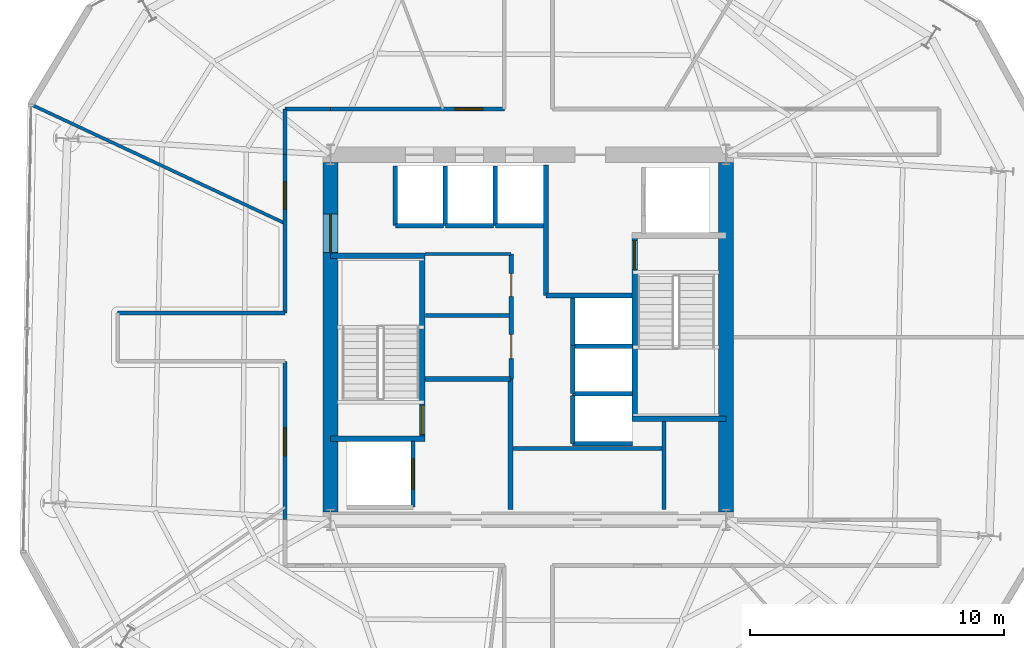
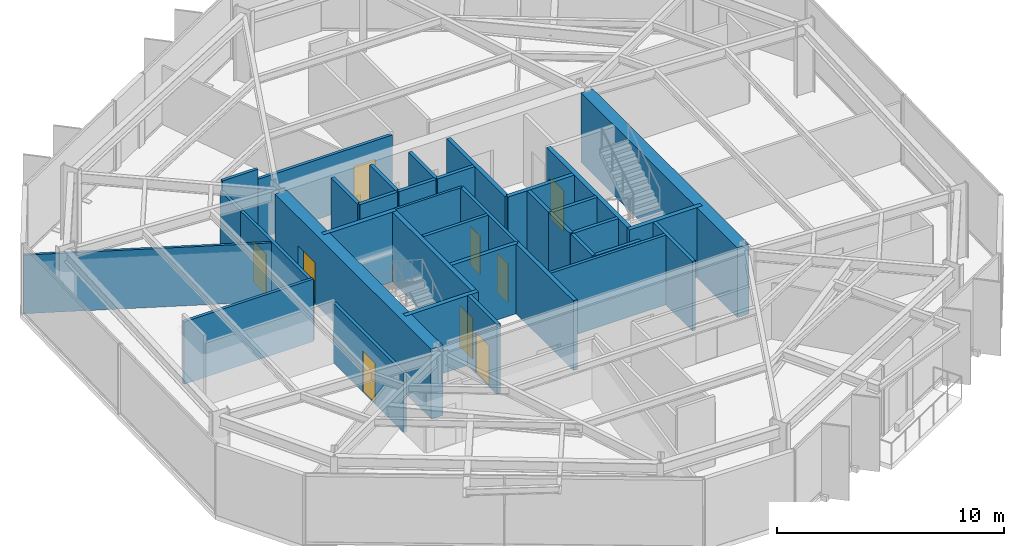
# One storey, part 7 of 11: 36 walls, 9 doors, 9 openings.
"""IFC4 building model written with IfcOpenShell, lengths in metres."""

from ifc_helpers import new_model, si_unit, direction, frame, frame_2d, origin, place, context, subcontext, project, spatial, rectangle, extrude, material, layer, layer_set, type_object, element, fill, save


model = new_model("IFC4")

# Units and contexts
model_context = context("Model", 3, precision=1e-05, world=origin(), true_north=direction((0.0, 1.0)))
body_context = subcontext(model_context, "Body", "Model", "MODEL_VIEW")
ifc_project = project(units=[si_unit("LENGTHUNIT", "METRE"), si_unit("AREAUNIT", "SQUARE_METRE"), si_unit("VOLUMEUNIT", "CUBIC_METRE"), si_unit("PLANEANGLEUNIT", "RADIAN"), si_unit("MASSUNIT", "GRAM", prefix="KILO")], contexts=[model_context])

# Site, building, storey
site_placement = place(None, origin())
site = spatial("IfcSite", under=ifc_project, at=site_placement, CompositionType="ELEMENT")
building_placement = place(site_placement, origin())
building = spatial("IfcBuilding", under=site, at=building_placement, Name="Kranzbogen Civic Tower", CompositionType="ELEMENT")
storey_placement = place(building_placement, frame((0.0, 0.0, 138.39990234375)))
storey = spatial("IfcBuildingStorey", under=building, at=storey_placement, Name="L33", CompositionType="ELEMENT", Elevation=138.39990234375)

# Wall
ifc_material_1 = material(Name="Double-Stud Acoustic Gypsum Partition")
ifc_layer_1 = layer(ifc_material_1, 0.14990234375, Name="Double-Stud Acoustic Gypsum Partition")
ifc_layer_set_1 = layer_set([ifc_layer_1], Name="Double-Stud Acoustic Gypsum Partition")
wall_type_1 = type_object("IfcWallType", Name="Acoustic Corridor and Clinical Partition 150 mm", PredefinedType="PARTITIONING", material=ifc_layer_set_1)
wall_1_placement = place(storey_placement, frame((24.39990234375, 20.610107421875, 0.0), z_axis=(0.0, 0.0, 1.0), x_axis=(1.0, 0.0, 0.0)))
element("IfcWall", 1, at=wall_1_placement, inside=storey, type_object=wall_type_1, Name="L33 records zone North wall", PredefinedType="PARTITIONING", context=body_context, shape_type="SweptSolid", body=[
    extrude(rectangle(XDim=5.900146484375, YDim=0.14990234375, at=frame_2d((2.9501953125, 0.0))), origin(), (0.0, 0.0, 1.0), 3.760009765625),
])

# Wall, opening, door
wall_2_placement = place(storey_placement, frame((15.39990234375, 17.800048828125, 0.0), z_axis=(0.0, 0.0, 1.0), x_axis=(0.0, 1.0, 0.0)))
wall_2 = element("IfcWall", 2, at=wall_2_placement, inside=storey, type_object=wall_type_1, Name="L33 corridor partition 03", PredefinedType="PARTITIONING", context=body_context, shape_type="SweptSolid", body=[
    extrude(rectangle(XDim=6.25, YDim=0.14990234375, at=frame_2d((3.125, 0.0))), origin(), (0.0, 0.0, 1.0), 3.210205078125),
])
opening_1_placement = place(wall_2_placement, frame((2.52392578125, 0.0, 0.0)))
opening_1 = element("IfcOpeningElement", 3, at=opening_1_placement, cuts=wall_2, Name="Opening D-COR60", PredefinedType="OPENING", context=body_context, shape_type="SweptSolid", body=[
    extrude(rectangle(XDim=1.10009765625, YDim=2.199951171875, at=frame_2d((0.550048828125, 1.10009765625))), frame((0.0, 0.0849609375, 0.0), z_axis=(0.0, -1.0, 0.0), x_axis=(1.0, 0.0, 0.0)), (0.0, 0.0, 1.0), 0.169921875),
])
ifc_material_2 = material(Name="Oak Timber and Fire Core", Category="wood")
door_type_1 = type_object("IfcDoorType", Name="Corridor Acoustic Fire Door 1100x2200", OperationType="NOTDEFINED", PredefinedType="DOOR", material=ifc_material_2)
door_1_placement = place(opening_1_placement, origin())
door_1 = element("IfcDoor", 4, at=door_1_placement, inside=storey, type_object=door_type_1, Name="L33 Executive Briefing Conference Room door", OperationType="SINGLE_SWING_RIGHT", OverallHeight=2.199951171875, OverallWidth=1.10009765625, PredefinedType="DOOR", context=body_context, shape_type="SweptSolid", body=[
    extrude(rectangle(XDim=1.10009765625, YDim=2.199951171875, at=frame_2d((0.550048828125, 1.10009765625))), frame((0.0, 0.02490234375, 0.0), z_axis=(0.0, -1.0, 0.0), x_axis=(1.0, 0.0, 0.0)), (0.0, 0.0, 1.0), 0.050048828125),
])
fill(opening_1, door_1)

# Wall
wall_3_placement = place(storey_placement, frame((8.800048828125, 25.949951171875, 0.0), z_axis=(0.0, 0.0, 1.0), x_axis=(1.0, 0.0, 0.0)))
element("IfcWall", 5, at=wall_3_placement, inside=storey, type_object=wall_type_1, Name="L33 corridor partition 06", PredefinedType="PARTITIONING", context=body_context, shape_type="SweptSolid", body=[
    extrude(rectangle(XDim=6.599853515625, YDim=0.14990234375, at=frame_2d((3.2998046875, 0.0))), origin(), (0.0, 0.0, 1.0), 3.360107421875),
])

# Wall, opening, door
wall_4_placement = place(storey_placement, frame((15.39990234375, 25.949951171875, 0.0), z_axis=(0.0, 0.0, 1.0), x_axis=(0.0, 1.0, 0.0)))
wall_4 = element("IfcWall", 6, at=wall_4_placement, inside=storey, type_object=wall_type_1, Name="L33 corridor partition 07", PredefinedType="PARTITIONING", context=body_context, shape_type="SweptSolid", body=[
    extrude(rectangle(XDim=6.25, YDim=0.14990234375, at=frame_2d((3.125, 0.0))), origin(), (0.0, 0.0, 1.0), 3.210205078125),
])
opening_2_placement = place(wall_4_placement, frame((4.091064453125, 0.0, 0.0)))
opening_2 = element("IfcOpeningElement", 7, at=opening_2_placement, cuts=wall_4, Name="Opening D-COR60", PredefinedType="OPENING", context=body_context, shape_type="SweptSolid", body=[
    extrude(rectangle(XDim=1.10009765625, YDim=2.199951171875, at=frame_2d((0.550048828125, 1.10009765625))), frame((0.0, 0.0849609375, 0.0), z_axis=(0.0, -1.0, 0.0), x_axis=(1.0, 0.0, 0.0)), (0.0, 0.0, 1.0), 0.169921875),
])
door_2_placement = place(opening_2_placement, origin())
door_2 = element("IfcDoor", 8, at=door_2_placement, inside=storey, type_object=door_type_1, Name="L33 Citizen Services Kiosk door", OperationType="SINGLE_SWING_RIGHT", OverallHeight=2.199951171875, OverallWidth=1.10009765625, PredefinedType="DOOR", context=body_context, shape_type="SweptSolid", body=[
    extrude(rectangle(XDim=1.10009765625, YDim=2.199951171875, at=frame_2d((0.550048828125, 1.10009765625))), frame((0.0, 0.02490234375, 0.0), z_axis=(0.0, -1.0, 0.0), x_axis=(1.0, 0.0, 0.0)), (0.0, 0.0, 1.0), 0.050048828125),
])
fill(opening_2, door_2)

# Walls
wall_5_placement = place(storey_placement, frame((15.39990234375, 32.199951171875, 0.0), z_axis=(0.0, 0.0, 1.0), x_axis=(0.0, 1.0, 0.0)))
element("IfcWall", 9, at=wall_5_placement, inside=storey, type_object=wall_type_1, Name="L33 corridor partition 08", PredefinedType="PARTITIONING", context=body_context, shape_type="SweptSolid", body=[
    extrude(rectangle(XDim=1.800048828125, YDim=0.14990234375, at=frame_2d((0.89990234375, 0.0))), origin(), (0.0, 0.0, 1.0), 3.210205078125),
])
wall_6_placement = place(storey_placement, frame((15.39990234375, 34.0, 0.0), z_axis=(0.0, 0.0, 1.0), x_axis=(1.0, 0.0, 0.0)))
element("IfcWall", 10, at=wall_6_placement, inside=storey, type_object=wall_type_1, Name="L33 corridor partition 09", PredefinedType="PARTITIONING", context=body_context, shape_type="SweptSolid", body=[
    extrude(rectangle(XDim=1.800048828125, YDim=0.14990234375, at=frame_2d((0.89990234375, 0.0))), origin(), (0.0, 0.0, 1.0), 3.760009765625),
])

# Wall, opening, door
wall_7_placement = place(storey_placement, frame((17.199951171875, 34.0, 0.0), z_axis=(0.0, 0.0, 1.0), x_axis=(1.0, 0.0, 0.0)))
wall_7 = element("IfcWall", 11, at=wall_7_placement, inside=storey, type_object=wall_type_1, Name="L33 corridor partition 10", PredefinedType="PARTITIONING", context=body_context, shape_type="SweptSolid", body=[
    extrude(rectangle(XDim=6.85009765625, YDim=0.14990234375, at=frame_2d((3.425048828125, 0.0))), origin(), (0.0, 0.0, 1.0), 3.210205078125),
])
opening_3_placement = place(wall_7_placement, frame((4.89697265625, 0.0, 0.0)))
opening_3 = element("IfcOpeningElement", 12, at=opening_3_placement, cuts=wall_7, Name="Opening D-COR60", PredefinedType="OPENING", context=body_context, shape_type="SweptSolid", body=[
    extrude(rectangle(XDim=1.10009765625, YDim=2.199951171875, at=frame_2d((0.550048828125, 1.10009765625))), frame((0.0, 0.0849609375, 0.0), z_axis=(0.0, -1.0, 0.0), x_axis=(1.0, 0.0, 0.0)), (0.0, 0.0, 1.0), 0.169921875),
])
door_3_placement = place(opening_3_placement, origin())
door_3 = element("IfcDoor", 13, at=door_3_placement, inside=storey, type_object=door_type_1, Name="L33 Protocol Entrance Reception door", OperationType="SINGLE_SWING_LEFT", OverallHeight=2.199951171875, OverallWidth=1.10009765625, PredefinedType="DOOR", context=body_context, shape_type="SweptSolid", body=[
    extrude(rectangle(XDim=1.10009765625, YDim=2.199951171875, at=frame_2d((0.550048828125, 1.10009765625))), frame((0.0, 0.02490234375, 0.0), z_axis=(0.0, -1.0, 0.0), x_axis=(1.0, 0.0, 0.0)), (0.0, 0.0, 1.0), 0.050048828125),
])
fill(opening_3, door_3)

# Walls
ifc_material_3 = material(Name="Insulated Metal-Stud Gypsum Partition")
ifc_layer_2 = layer(ifc_material_3, 0.125, Name="Insulated Metal-Stud Gypsum Partition")
ifc_layer_set_2 = layer_set([ifc_layer_2], Name="Insulated Metal-Stud Gypsum Partition")
wall_type_2 = type_object("IfcWallType", Name="Acoustic Inter-Room Partition 125 mm", PredefinedType="PARTITIONING", material=ifc_layer_set_2)
wall_8_placement = place(storey_placement, frame((20.919921875, 28.280029296875, 0.0), z_axis=(0.0, 0.0, 1.0), x_axis=(1.0, 0.0, 0.0)))
element("IfcWall", 14, at=wall_8_placement, inside=storey, type_object=wall_type_2, Name="L33 core auxiliary North wall", PredefinedType="PARTITIONING", context=body_context, shape_type="SweptSolid", body=[
    extrude(rectangle(XDim=3.405029296875, YDim=0.125, at=frame_2d((1.70263671875, 0.0))), origin(), (0.0, 0.0, 1.0), 3.760009765625),
])
wall_9_placement = place(storey_placement, frame((15.39990234375, 29.491943359375, 0.0), z_axis=(0.0, 0.0, 1.0), x_axis=(-0.905754360865, 0.423803064847, 0.0)))
element("IfcWall", 15, at=wall_9_placement, inside=storey, type_object=wall_type_2, Name="L33 radial room partition 03", PredefinedType="PARTITIONING", context=body_context, shape_type="SweptSolid", body=[
    extrude(rectangle(XDim=11.0380859375, YDim=0.125, at=frame_2d((5.51904296875, 0.0))), origin(), (0.0, 0.0, 1.0), 3.16015625),
])

# Wall, opening, door
ifc_material_4 = material(Name="Concrete C55/67", Category="concrete")
ifc_layer_3 = layer(ifc_material_4, 0.60009765625, Name="Concrete C55/67")
ifc_layer_set_3 = layer_set([ifc_layer_3], Name="Concrete C55/67")
wall_type_3 = type_object("IfcWallType", Name="Central Core Shear Wall 600 mm", PredefinedType="SHEAR", material=ifc_layer_set_3)
wall_10_placement = place(storey_placement, frame((17.199951171875, 31.89990234375, 0.0), z_axis=(0.0, 0.0, 1.0), x_axis=(0.0, -1.0, 0.0)))
wall_10 = element("IfcWall", 16, at=wall_10_placement, inside=storey, type_object=wall_type_3, Name="L33 central core West shear wall", PredefinedType="SHEAR", context=body_context, shape_type="SweptSolid", body=[
    extrude(rectangle(XDim=13.7998046875, YDim=0.60009765625, at=frame_2d((6.89990234375, 0.0))), origin(), (0.0, 0.0, 1.0), 3.760009765625),
])
opening_4_placement = place(wall_10_placement, frame((2.050048828125, 0.0, 0.0)))
opening_4 = element("IfcOpeningElement", 17, at=opening_4_placement, cuts=wall_10, Name="Opening D-DBL15", PredefinedType="OPENING", context=body_context, shape_type="SweptSolid", body=[
    extrude(rectangle(XDim=1.5, YDim=2.199951171875, at=frame_2d((0.75, 1.10009765625))), frame((0.0, 0.31005859375, 0.0), z_axis=(0.0, -1.0, 0.0), x_axis=(1.0, 0.0, 0.0)), (0.0, 0.0, 1.0), 0.6201171875),
])
ifc_material_5 = material(Name="Anodised Bronze and Glass", Category="glass")
door_type_2 = type_object("IfcDoorType", Name="Civic Lobby Double Door 1500x2200", OperationType="DOUBLE_DOOR_SINGLE_SWING", PredefinedType="DOOR", material=ifc_material_5)
door_4_placement = place(opening_4_placement, origin())
door_4 = element("IfcDoor", 18, at=door_4_placement, inside=storey, type_object=door_type_2, Name="L33 Central Lift Lobby West concourse door", OperationType="DOUBLE_DOOR_SINGLE_SWING", OverallHeight=2.199951171875, OverallWidth=1.5, PredefinedType="DOOR", context=body_context, shape_type="SweptSolid", body=[
    extrude(rectangle(XDim=1.5, YDim=2.199951171875, at=frame_2d((0.75, 1.10009765625))), frame((0.0, 0.02490234375, 0.0), z_axis=(0.0, -1.0, 0.0), x_axis=(1.0, 0.0, 0.0)), (0.0, 0.0, 1.0), 0.050048828125),
])
fill(opening_4, door_4)

# Wall
wall_11_placement = place(storey_placement, frame((32.800048828125, 18.10009765625, 0.0), z_axis=(0.0, 0.0, 1.0), x_axis=(0.0, 1.0, 0.0)))
element("IfcWall", 19, at=wall_11_placement, inside=storey, type_object=wall_type_3, Name="L33 central core East shear wall", PredefinedType="SHEAR", context=body_context, shape_type="SweptSolid", body=[
    extrude(rectangle(XDim=13.7998046875, YDim=0.60009765625, at=frame_2d((6.89990234375, 0.0))), origin(), (0.0, 0.0, 1.0), 3.760009765625),
])

# Wall, opening, door
ifc_material_6 = material(Name="Concrete C45/55", Category="concrete")
ifc_layer_4 = layer(ifc_material_6, 0.219970703125, Name="Concrete C45/55")
ifc_layer_set_4 = layer_set([ifc_layer_4], Name="Concrete C45/55")
wall_type_4 = type_object("IfcWallType", Name="Core Internal Stair Structural Wall 220 mm", PredefinedType="SOLIDWALL", material=ifc_layer_set_4)
wall_12_placement = place(storey_placement, frame((20.81005859375, 20.989990234375, 0.0), z_axis=(0.0, 0.0, 1.0), x_axis=(0.0, 1.0, 0.0)))
wall_12 = element("IfcWall", 20, at=wall_12_placement, inside=storey, type_object=wall_type_4, Name="L33 ST-T1 East structural stair wall", PredefinedType="SOLIDWALL", context=body_context, shape_type="SweptSolid", body=[
    extrude(rectangle(XDim=7.219970703125, YDim=0.219970703125, at=frame_2d((3.60986328125, 0.0))), origin(), (0.0, 0.0, 1.0), 3.760009765625),
])
opening_5_placement = place(wall_12_placement, frame((0.179931640625, 0.0, 0.0)))
opening_5 = element("IfcOpeningElement", 21, at=opening_5_placement, cuts=wall_12, Name="Opening D-ST90", PredefinedType="OPENING", context=body_context, shape_type="SweptSolid", body=[
    extrude(rectangle(XDim=1.14990234375, YDim=2.199951171875, at=frame_2d((0.574951171875, 1.10009765625))), frame((0.0, 0.1201171875, 0.0), z_axis=(0.0, -1.0, 0.0), x_axis=(1.0, 0.0, 0.0)), (0.0, 0.0, 1.0), 0.239990234375),
])
ifc_material_7 = material(Name="Steel S355", Category="steel")
door_type_3 = type_object("IfcDoorType", Name="Pressurized Stair and Lobby Fire Door 1150x2200", OperationType="NOTDEFINED", PredefinedType="DOOR", material=ifc_material_7)
door_5_placement = place(opening_5_placement, origin())
door_5 = element("IfcDoor", 22, at=door_5_placement, inside=storey, type_object=door_type_3, Name="L33 Stair ST-T1 fire door", OperationType="SINGLE_SWING_RIGHT", OverallHeight=2.199951171875, OverallWidth=1.14990234375, PredefinedType="DOOR", context=body_context, shape_type="SweptSolid", body=[
    extrude(rectangle(XDim=1.14990234375, YDim=2.199951171875, at=frame_2d((0.574951171875, 1.10009765625))), frame((0.0, 0.02490234375, 0.0), z_axis=(0.0, -1.0, 0.0), x_axis=(1.0, 0.0, 0.0)), (0.0, 0.0, 1.0), 0.050048828125),
])
fill(opening_5, door_5)

# Walls
for number, where, z_axis, x_axis, name in (
    (23, (17.199951171875, 20.989990234375, 0.0), (0.0, 0.0, 1.0), (1.0, 0.0, 0.0), "L33 ST-T1 South structural stair wall"),
    (24, (17.199951171875, 28.2099609375, 0.0), (0.0, 0.0, 1.0), (1.0, 0.0, 0.0), "L33 ST-T1 North structural stair wall"),
):
    element("IfcWall", number, at=place(storey_placement, frame(where, z_axis=z_axis, x_axis=x_axis)), inside=storey, type_object=wall_type_4, Name=name, PredefinedType="SOLIDWALL", context=body_context, shape_type="SweptSolid", body=[
        extrude(rectangle(XDim=3.719970703125, YDim=0.219970703125, at=frame_2d((1.85986328125, 0.0))), origin(), (0.0, 0.0, 1.0), 3.760009765625),
    ])

# Wall, opening, door
wall_13_placement = place(storey_placement, frame((29.18994140625, 21.7900390625, 0.0), z_axis=(0.0, 0.0, 1.0), x_axis=(0.0, 1.0, 0.0)))
wall_13 = element("IfcWall", 25, at=wall_13_placement, inside=storey, type_object=wall_type_4, Name="L33 ST-T2 West structural stair wall", PredefinedType="SOLIDWALL", context=body_context, shape_type="SweptSolid", body=[
    extrude(rectangle(XDim=7.219970703125, YDim=0.219970703125, at=frame_2d((3.60986328125, 0.0))), origin(), (0.0, 0.0, 1.0), 3.760009765625),
])
opening_6_placement = place(wall_13_placement, frame((5.8798828125, 0.0, 0.0)))
opening_6 = element("IfcOpeningElement", 26, at=opening_6_placement, cuts=wall_13, Name="Opening D-ST90", PredefinedType="OPENING", context=body_context, shape_type="SweptSolid", body=[
    extrude(rectangle(XDim=1.14990234375, YDim=2.199951171875, at=frame_2d((0.574951171875, 1.10009765625))), frame((0.0, 0.1201171875, 0.0), z_axis=(0.0, -1.0, 0.0), x_axis=(1.0, 0.0, 0.0)), (0.0, 0.0, 1.0), 0.239990234375),
])
door_6_placement = place(opening_6_placement, origin())
door_6 = element("IfcDoor", 27, at=door_6_placement, inside=storey, type_object=door_type_3, Name="L33 Stair ST-T2 fire door", OperationType="SINGLE_SWING_LEFT", OverallHeight=2.199951171875, OverallWidth=1.14990234375, PredefinedType="DOOR", context=body_context, shape_type="SweptSolid", body=[
    extrude(rectangle(XDim=1.14990234375, YDim=2.199951171875, at=frame_2d((0.574951171875, 1.10009765625))), frame((0.0, 0.02490234375, 0.0), z_axis=(0.0, -1.0, 0.0), x_axis=(1.0, 0.0, 0.0)), (0.0, 0.0, 1.0), 0.050048828125),
])
fill(opening_6, door_6)

# Walls
wall_14_placement = place(storey_placement, frame((29.080078125, 21.7900390625, 0.0), z_axis=(0.0, 0.0, 1.0), x_axis=(1.0, 0.0, 0.0)))
element("IfcWall", 28, at=wall_14_placement, inside=storey, type_object=wall_type_4, Name="L33 ST-T2 South structural stair wall", PredefinedType="SOLIDWALL", context=body_context, shape_type="SweptSolid", body=[
    extrude(rectangle(XDim=3.719970703125, YDim=0.219970703125, at=frame_2d((1.85986328125, 0.0))), origin(), (0.0, 0.0, 1.0), 3.760009765625),
])
ifc_material_8 = material(Name="Gypsum Fireboard and Concrete Block", Category="concrete")
ifc_layer_5 = layer(ifc_material_8, 0.199951171875, Name="Gypsum Fireboard and Concrete Block")
ifc_layer_set_5 = layer_set([ifc_layer_5], Name="Gypsum Fireboard and Concrete Block")
wall_type_5 = type_object("IfcWallType", Name="Fire-Rated Exit Passageway and Stair Wall 200 mm", PredefinedType="PARTITIONING", material=ifc_layer_set_5)
wall_15_placement = place(storey_placement, frame((24.300048828125, 18.199951171875, 0.0), z_axis=(0.0, 0.0, 1.0), x_axis=(0.0, 1.0, 0.0)))
element("IfcWall", 29, at=wall_15_placement, inside=storey, type_object=wall_type_5, Name="L33 West firefighting lobby East wall", PredefinedType="PARTITIONING", context=body_context, shape_type="SweptSolid", body=[
    extrude(rectangle(XDim=5.150146484375, YDim=0.199951171875, at=frame_2d((2.5751953125, 0.0))), origin(), (0.0, 0.0, 1.0), 3.760009765625),
])
wall_16_placement = place(storey_placement, frame((20.919921875, 23.35009765625, 0.0), z_axis=(0.0, 0.0, 1.0), x_axis=(1.0, 0.0, 0.0)))
element("IfcWall", 30, at=wall_16_placement, inside=storey, type_object=wall_type_5, Name="L33 West firefighting lobby North wall", PredefinedType="PARTITIONING", context=body_context, shape_type="SweptSolid", body=[
    extrude(rectangle(XDim=3.380126953125, YDim=0.199951171875, at=frame_2d((1.68994140625, 0.0))), origin(), (0.0, 0.0, 1.0), 3.760009765625),
])
wall_17_placement = place(storey_placement, frame((25.699951171875, 26.64990234375, 0.0), z_axis=(0.0, 0.0, 1.0), x_axis=(0.0, 1.0, 0.0)))
element("IfcWall", 31, at=wall_17_placement, inside=storey, type_object=wall_type_5, Name="L33 East firefighting lobby West wall", PredefinedType="PARTITIONING", context=body_context, shape_type="SweptSolid", body=[
    extrude(rectangle(XDim=5.150146484375, YDim=0.199951171875, at=frame_2d((2.5751953125, 0.0))), origin(), (0.0, 0.0, 1.0), 3.760009765625),
])
wall_18_placement = place(storey_placement, frame((25.699951171875, 26.64990234375, 0.0), z_axis=(0.0, 0.0, 1.0), x_axis=(1.0, 0.0, 0.0)))
element("IfcWall", 32, at=wall_18_placement, inside=storey, type_object=wall_type_5, Name="L33 East firefighting lobby South wall", PredefinedType="PARTITIONING", context=body_context, shape_type="SweptSolid", body=[
    extrude(rectangle(XDim=3.380126953125, YDim=0.199951171875, at=frame_2d((1.68994140625, 0.0))), origin(), (0.0, 0.0, 1.0), 3.760009765625),
])
ifc_material_9 = material(Name="Gypsum Fireboard Shaftliner")
ifc_layer_6 = layer(ifc_material_9, 0.175048828125, Name="Gypsum Fireboard Shaftliner")
ifc_layer_set_6 = layer_set([ifc_layer_6], Name="Gypsum Fireboard Shaftliner")
wall_type_6 = type_object("IfcWallType", Name="Fire-Rated Lift and Service Shaft Wall 175 mm", PredefinedType="PARTITIONING", material=ifc_layer_set_6)
wall_19_placement = place(storey_placement, frame((30.35009765625, 18.199951171875, 0.0), z_axis=(0.0, 0.0, 1.0), x_axis=(0.0, 1.0, 0.0)))
element("IfcWall", 33, at=wall_19_placement, inside=storey, type_object=wall_type_6, Name="L33 East core riser West wall", PredefinedType="PARTITIONING", context=body_context, shape_type="SweptSolid", body=[
    extrude(rectangle(XDim=3.47998046875, YDim=0.175048828125, at=frame_2d((1.739990234375, 0.0))), origin(), (0.0, 0.0, 1.0), 3.760009765625),
])
wall_20_placement = place(storey_placement, frame((19.75, 29.39990234375, 0.0), z_axis=(0.0, 0.0, 1.0), x_axis=(1.0, 0.0, 0.0)))
element("IfcWall", 34, at=wall_20_placement, inside=storey, type_object=wall_type_6, Name="L33 lift MP-01 rear wall", PredefinedType="PARTITIONING", context=body_context, shape_type="SweptSolid", body=[
    extrude(rectangle(XDim=1.89990234375, YDim=0.175048828125, at=frame_2d((0.949951171875, 0.0))), origin(), (0.0, 0.0, 1.0), 3.760009765625),
])
wall_21_placement = place(storey_placement, frame((19.75, 29.39990234375, 0.0), z_axis=(0.0, 0.0, 1.0), x_axis=(0.0, 1.0, 0.0)))
element("IfcWall", 35, at=wall_21_placement, inside=storey, type_object=wall_type_6, Name="L33 lift MP-01 side wall", PredefinedType="PARTITIONING", context=body_context, shape_type="SweptSolid", body=[
    extrude(rectangle(XDim=2.35009765625, YDim=0.175048828125, at=frame_2d((1.175048828125, 0.0))), origin(), (0.0, 0.0, 1.0), 3.760009765625),
])
wall_22_placement = place(storey_placement, frame((21.72509765625, 29.39990234375, 0.0), z_axis=(0.0, 0.0, 1.0), x_axis=(1.0, 0.0, 0.0)))
element("IfcWall", 36, at=wall_22_placement, inside=storey, type_object=wall_type_6, Name="L33 lift MP-02 rear wall", PredefinedType="PARTITIONING", context=body_context, shape_type="SweptSolid", body=[
    extrude(rectangle(XDim=1.89990234375, YDim=0.175048828125, at=frame_2d((0.949951171875, 0.0))), origin(), (0.0, 0.0, 1.0), 3.760009765625),
])
wall_23_placement = place(storey_placement, frame((21.72509765625, 29.39990234375, 0.0), z_axis=(0.0, 0.0, 1.0), x_axis=(0.0, 1.0, 0.0)))
element("IfcWall", 37, at=wall_23_placement, inside=storey, type_object=wall_type_6, Name="L33 lift MP-02 side wall", PredefinedType="PARTITIONING", context=body_context, shape_type="SweptSolid", body=[
    extrude(rectangle(XDim=2.35009765625, YDim=0.175048828125, at=frame_2d((1.175048828125, 0.0))), origin(), (0.0, 0.0, 1.0), 3.760009765625),
])
wall_24_placement = place(storey_placement, frame((23.699951171875, 29.39990234375, 0.0), z_axis=(0.0, 0.0, 1.0), x_axis=(1.0, 0.0, 0.0)))
element("IfcWall", 38, at=wall_24_placement, inside=storey, type_object=wall_type_6, Name="L33 lift MP-03 rear wall", PredefinedType="PARTITIONING", context=body_context, shape_type="SweptSolid", body=[
    extrude(rectangle(XDim=1.900146484375, YDim=0.175048828125, at=frame_2d((0.9501953125, 0.0))), origin(), (0.0, 0.0, 1.0), 3.760009765625),
])
wall_25_placement = place(storey_placement, frame((23.699951171875, 29.39990234375, 0.0), z_axis=(0.0, 0.0, 1.0), x_axis=(0.0, 1.0, 0.0)))
element("IfcWall", 39, at=wall_25_placement, inside=storey, type_object=wall_type_6, Name="L33 lift MP-03 side wall", PredefinedType="PARTITIONING", context=body_context, shape_type="SweptSolid", body=[
    extrude(rectangle(XDim=2.35009765625, YDim=0.175048828125, at=frame_2d((1.175048828125, 0.0))), origin(), (0.0, 0.0, 1.0), 3.760009765625),
])
wall_26_placement = place(storey_placement, frame((26.75, 20.800048828125, 0.0), z_axis=(0.0, 0.0, 1.0), x_axis=(0.0, 1.0, 0.0)))
element("IfcWall", 40, at=wall_26_placement, inside=storey, type_object=wall_type_6, Name="L33 lift HP-01 landing wall", PredefinedType="PARTITIONING", context=body_context, shape_type="SweptSolid", body=[
    extrude(rectangle(XDim=1.89990234375, YDim=0.175048828125, at=frame_2d((0.949951171875, 0.0))), origin(), (0.0, 0.0, 1.0), 3.760009765625),
])
wall_27_placement = place(storey_placement, frame((26.75, 20.800048828125, 0.0), z_axis=(0.0, 0.0, 1.0), x_axis=(1.0, 0.0, 0.0)))
element("IfcWall", 41, at=wall_27_placement, inside=storey, type_object=wall_type_6, Name="L33 lift HP-01 side wall", PredefinedType="PARTITIONING", context=body_context, shape_type="SweptSolid", body=[
    extrude(rectangle(XDim=2.35009765625, YDim=0.175048828125, at=frame_2d((1.175048828125, 0.0))), origin(), (0.0, 0.0, 1.0), 3.760009765625),
])
wall_28_placement = place(storey_placement, frame((26.75, 22.77490234375, 0.0), z_axis=(0.0, 0.0, 1.0), x_axis=(0.0, 1.0, 0.0)))
element("IfcWall", 42, at=wall_28_placement, inside=storey, type_object=wall_type_6, Name="L33 lift HP-02 landing wall", PredefinedType="PARTITIONING", context=body_context, shape_type="SweptSolid", body=[
    extrude(rectangle(XDim=1.900146484375, YDim=0.175048828125, at=frame_2d((0.9501953125, 0.0))), origin(), (0.0, 0.0, 1.0), 3.760009765625),
])
wall_29_placement = place(storey_placement, frame((26.75, 22.77490234375, 0.0), z_axis=(0.0, 0.0, 1.0), x_axis=(1.0, 0.0, 0.0)))
element("IfcWall", 43, at=wall_29_placement, inside=storey, type_object=wall_type_6, Name="L33 lift HP-02 side wall", PredefinedType="PARTITIONING", context=body_context, shape_type="SweptSolid", body=[
    extrude(rectangle(XDim=2.35009765625, YDim=0.175048828125, at=frame_2d((1.175048828125, 0.0))), origin(), (0.0, 0.0, 1.0), 3.760009765625),
])
wall_30_placement = place(storey_placement, frame((26.75, 24.64990234375, 0.0), z_axis=(0.0, 0.0, 1.0), x_axis=(0.0, 1.0, 0.0)))
element("IfcWall", 44, at=wall_30_placement, inside=storey, type_object=wall_type_6, Name="L33 lift HP-03 landing wall", PredefinedType="PARTITIONING", context=body_context, shape_type="SweptSolid", body=[
    extrude(rectangle(XDim=1.900146484375, YDim=0.175048828125, at=frame_2d((0.9501953125, 0.0))), origin(), (0.0, 0.0, 1.0), 3.760009765625),
])
wall_31_placement = place(storey_placement, frame((26.75, 24.64990234375, 0.0), z_axis=(0.0, 0.0, 1.0), x_axis=(1.0, 0.0, 0.0)))
element("IfcWall", 45, at=wall_31_placement, inside=storey, type_object=wall_type_6, Name="L33 lift HP-03 side wall", PredefinedType="PARTITIONING", context=body_context, shape_type="SweptSolid", body=[
    extrude(rectangle(XDim=2.35009765625, YDim=0.175048828125, at=frame_2d((1.175048828125, 0.0))), origin(), (0.0, 0.0, 1.0), 3.760009765625),
])

# Wall, opening, door
wall_32_placement = place(storey_placement, frame((20.449951171875, 18.300048828125, 0.0), z_axis=(0.0, 0.0, 1.0), x_axis=(0.0, 1.0, 0.0)))
wall_32 = element("IfcWall", 46, at=wall_32_placement, inside=storey, type_object=wall_type_6, Name="L33 lift FF-01 landing wall", PredefinedType="PARTITIONING", context=body_context, shape_type="SweptSolid", body=[
    extrude(rectangle(XDim=2.599853515625, YDim=0.175048828125, at=frame_2d((1.2998046875, 0.0))), origin(), (0.0, 0.0, 1.0), 3.760009765625),
])
opening_7_placement = place(wall_32_placement, frame((0.699951171875, 0.0, 0.0)))
opening_7 = element("IfcOpeningElement", 47, at=opening_7_placement, cuts=wall_32, Name="Opening LD-FF-01", PredefinedType="OPENING", context=body_context, shape_type="SweptSolid", body=[
    extrude(rectangle(XDim=1.199951171875, YDim=2.199951171875, at=frame_2d((0.60009765625, 1.10009765625))), frame((0.0, 0.09765625, 0.0), z_axis=(0.0, -1.0, 0.0), x_axis=(1.0, 0.0, 0.0)), (0.0, 0.0, 1.0), 0.195068359375),
])
ifc_material_10 = material(Name="Pale Anodised Aluminium", Category="aluminium")
door_type_4 = type_object("IfcDoorType", Name="Firefighting and Stretcher Lift Sliding Landing Door 1200x2200", OperationType="DOUBLE_DOOR_SLIDING", PredefinedType="DOOR", material=ifc_material_10)
door_7_placement = place(opening_7_placement, origin())
door_7 = element("IfcDoor", 48, at=door_7_placement, inside=storey, type_object=door_type_4, Name="L33 lift FF-01 sliding landing door", OperationType="DOUBLE_DOOR_SLIDING", OverallHeight=2.199951171875, OverallWidth=1.199951171875, PredefinedType="DOOR", context=body_context, shape_type="SweptSolid", body=[
    extrude(rectangle(XDim=1.199951171875, YDim=2.199951171875, at=frame_2d((0.60009765625, 1.10009765625))), frame((0.0, 0.02490234375, 0.0), z_axis=(0.0, -1.0, 0.0), x_axis=(1.0, 0.0, 0.0)), (0.0, 0.0, 1.0), 0.050048828125),
])
fill(opening_7, door_7)

# Wall, openings, doors
ifc_material_11 = material(Name="Moisture-Resistant Gypsum Assembly")
ifc_layer_7 = layer(ifc_material_11, 0.159912109375, Name="Moisture-Resistant Gypsum Assembly")
ifc_layer_set_7 = layer_set([ifc_layer_7], Name="Moisture-Resistant Gypsum Assembly")
wall_type_7 = type_object("IfcWallType", Name="Sanitary and Plumbing Wet Wall 160 mm", PredefinedType="PLUMBINGWALL", material=ifc_layer_set_7)
wall_33_placement = place(storey_placement, frame((24.324951171875, 23.35009765625, 0.0), z_axis=(0.0, 0.0, 1.0), x_axis=(0.0, 1.0, 0.0)))
wall_33 = element("IfcWall", 49, at=wall_33_placement, inside=storey, type_object=wall_type_7, Name="L33 core auxiliary East wall", PredefinedType="PLUMBINGWALL", context=body_context, shape_type="SweptSolid", body=[
    extrude(rectangle(XDim=4.929931640625, YDim=0.159912109375, at=frame_2d((2.46484375, 0.0))), origin(), (0.0, 0.0, 1.0), 3.760009765625),
])
opening_8_placement = place(wall_33_placement, frame((0.800048828125, 0.0, 0.0)))
opening_8 = element("IfcOpeningElement", 50, at=opening_8_placement, cuts=wall_33, Name="Opening D-AWC95", PredefinedType="OPENING", context=body_context, shape_type="SweptSolid", body=[
    extrude(rectangle(XDim=0.949951171875, YDim=2.10009765625, at=frame_2d((0.47509765625, 1.050048828125))), frame((0.0, 0.08984375, 0.0), z_axis=(0.0, -1.0, 0.0), x_axis=(1.0, 0.0, 0.0)), (0.0, 0.0, 1.0), 0.179931640625),
])
opening_9_placement = place(wall_33_placement, frame((3.260009765625, 0.0, 0.0)))
opening_9 = element("IfcOpeningElement", 51, at=opening_9_placement, cuts=wall_33, Name="Opening D-WC90", PredefinedType="OPENING", context=body_context, shape_type="SweptSolid", body=[
    extrude(rectangle(XDim=0.89990234375, YDim=2.10009765625, at=frame_2d((0.449951171875, 1.050048828125))), frame((0.0, 0.08984375, 0.0), z_axis=(0.0, -1.0, 0.0), x_axis=(1.0, 0.0, 0.0)), (0.0, 0.0, 1.0), 0.179931640625),
])
ifc_material_12 = material(Name="Moisture-Resistant Laminate")
door_type_5 = type_object("IfcDoorType", Name="Accessible Restroom Door 950x2100", OperationType="NOTDEFINED", PredefinedType="DOOR", material=ifc_material_12)
door_8_placement = place(opening_8_placement, origin())
door_8 = element("IfcDoor", 52, at=door_8_placement, inside=storey, type_object=door_type_5, Name="L33 Accessible Restroom door", OperationType="SINGLE_SWING_RIGHT", OverallHeight=2.10009765625, OverallWidth=0.949951171875, PredefinedType="DOOR", context=body_context, shape_type="SweptSolid", body=[
    extrude(rectangle(XDim=0.949951171875, YDim=2.10009765625, at=frame_2d((0.47509765625, 1.050048828125))), frame((0.0, 0.02490234375, 0.0), z_axis=(0.0, -1.0, 0.0), x_axis=(1.0, 0.0, 0.0)), (0.0, 0.0, 1.0), 0.050048828125),
])
fill(opening_8, door_8)
door_type_6 = type_object("IfcDoorType", Name="Standard Restroom and Store Door 900x2100", OperationType="NOTDEFINED", PredefinedType="DOOR", material=ifc_material_12)
door_9_placement = place(opening_9_placement, origin())
door_9 = element("IfcDoor", 53, at=door_9_placement, inside=storey, type_object=door_type_6, Name="L33 Staff Restroom door", OperationType="SINGLE_SWING_LEFT", OverallHeight=2.10009765625, OverallWidth=0.89990234375, PredefinedType="DOOR", context=body_context, shape_type="SweptSolid", body=[
    extrude(rectangle(XDim=0.89990234375, YDim=2.10009765625, at=frame_2d((0.449951171875, 1.050048828125))), frame((0.0, 0.02490234375, 0.0), z_axis=(0.0, -1.0, 0.0), x_axis=(1.0, 0.0, 0.0)), (0.0, 0.0, 1.0), 0.050048828125),
])
fill(opening_9, door_9)

# Wall
wall_34_placement = place(storey_placement, frame((20.949951171875, 25.860107421875, 0.0), z_axis=(0.0, 0.0, 1.0), x_axis=(1.0, 0.0, 0.0)))
element("IfcWall", 54, at=wall_34_placement, inside=storey, type_object=wall_type_7, Name="L33 core auxiliary partition 1", PredefinedType="PLUMBINGWALL", context=body_context, shape_type="SweptSolid", body=[
    extrude(rectangle(XDim=3.300048828125, YDim=0.159912109375, at=frame_2d((1.64990234375, 0.0))), origin(), (0.0, 0.0, 1.0), 3.760009765625),
])

save(model, "model.ifc")
